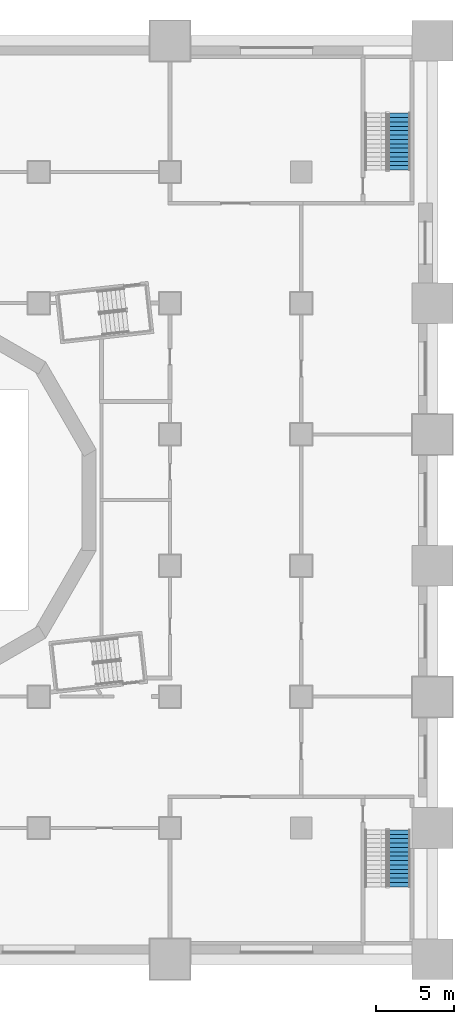
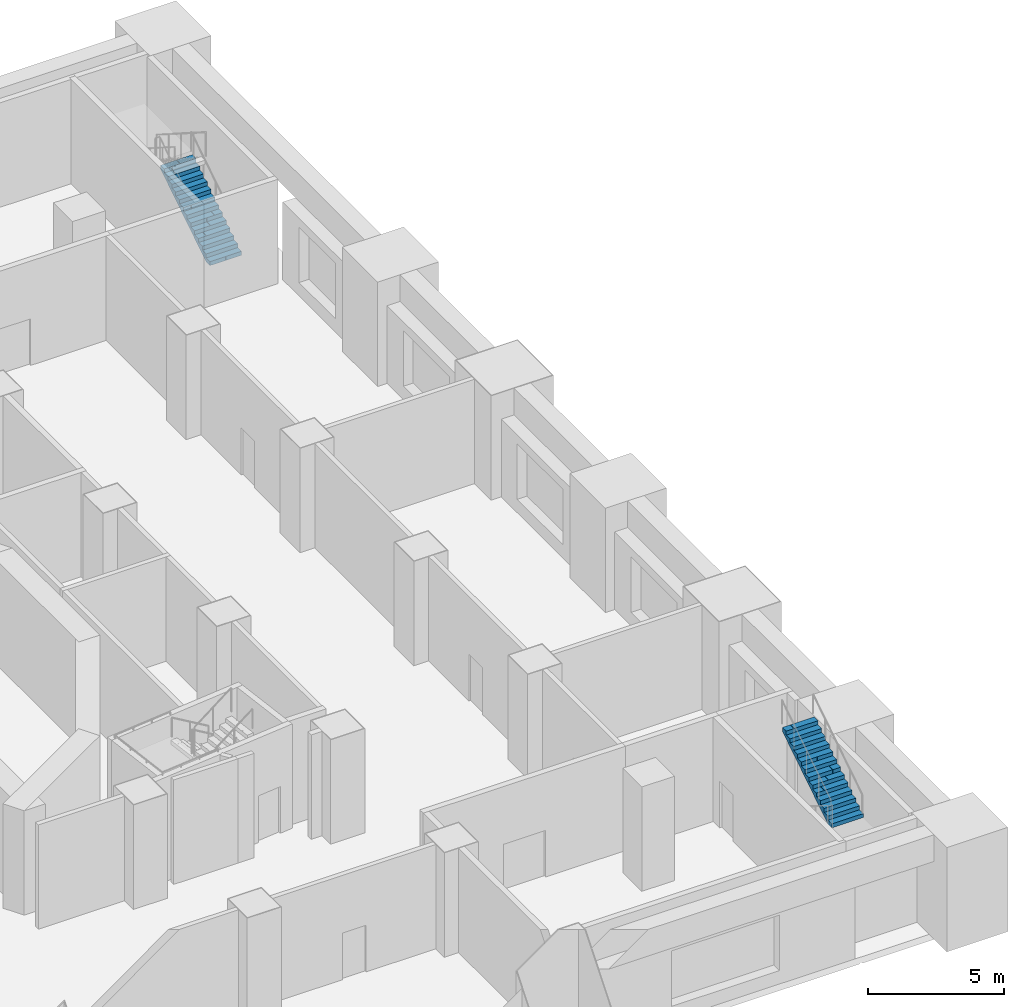
# One storey, part 8 of 18: 2 stair flights, 2 elements without a shape of their own.
"""IFC4 building model written with IfcOpenShell, lengths in metres."""

from ifc_helpers import new_model, si_unit, direction, frame, origin, place, context, subcontext, project, spatial, polyline, outline, extrude, material, type_object, element, aggregate, save


model = new_model("IFC4")

# Units and contexts
model_context = context("Model", 3, precision=1e-05, world=origin(), true_north=direction((0.0, 1.0)))
body_context = subcontext(model_context, "Body", "Model", "MODEL_VIEW")
ifc_project = project(units=[si_unit("LENGTHUNIT", "METRE"), si_unit("AREAUNIT", "SQUARE_METRE"), si_unit("VOLUMEUNIT", "CUBIC_METRE"), si_unit("PLANEANGLEUNIT", "RADIAN"), si_unit("MASSUNIT", "GRAM", prefix="KILO")], contexts=[model_context])

# Site, building, storey
site_placement = place(None, origin())
site = spatial("IfcSite", under=ifc_project, at=site_placement, CompositionType="ELEMENT")
building_placement = place(site_placement, origin())
building = spatial("IfcBuilding", under=site, at=building_placement, Name="Cantera Rosa Tower", CompositionType="ELEMENT")
storey_placement = place(building_placement, frame((0.0, 0.0, 17.0)))
storey = spatial("IfcBuildingStorey", under=building, at=storey_placement, Name="L02", CompositionType="ELEMENT", Elevation=17.0)

# Stair, stair flight
ifc_material_1 = material(Name="Concrete C35/45", Category="concrete")
stair_type = type_object("IfcStairType", Name="Stair half-turn 1350", PredefinedType="HALF_TURN_STAIR", material=ifc_material_1)
stair_1_placement = place(storey_placement, origin())
stair_1 = element("IfcStair", 1, at=stair_1_placement, inside=storey, type_object=stair_type, Name="L02 ST-NE", PredefinedType="HALF_TURN_STAIR")
ifc_material_2 = material(Name="Concrete C35/45", Category="concrete")
stair_flight_type = type_object("IfcStairFlightType", Name="Stair flight 1350", PredefinedType="STRAIGHT", material=ifc_material_2)
stair_flight_1_placement = place(storey_placement, frame((31.5, 21.125, 0.0), z_axis=(0.0, 0.0, 1.0), x_axis=(0.0, 1.0, 0.0)))
stair_flight_1 = element("IfcStairFlight", 2, at=stair_flight_1_placement, type_object=stair_flight_type, Name="ST-NE flight 1", NumberOfRisers=14, NumberOfTreads=13, PredefinedType="STRAIGHT", RiserHeight=0.178571429, TreadLength=0.28, context=body_context, shape_type="SweptSolid", body=[
    extrude(outline(polyline([(0.0, 0.0), (0.0, 0.178466796875), (0.280029296875, 0.178466796875), (0.280029296875, 0.357177734375), (0.56005859375, 0.357177734375), (0.56005859375, 0.53564453125), (0.840087890625, 0.53564453125), (0.840087890625, 0.71435546875), (1.1201171875, 0.71435546875), (1.1201171875, 0.892822265625), (1.39990234375, 0.892822265625), (1.39990234375, 1.071533203125), (1.679931640625, 1.071533203125), (1.679931640625, 1.25), (1.9599609375, 1.25), (1.9599609375, 1.428466796875), (2.239990234375, 1.428466796875), (2.239990234375, 1.607177734375), (2.52001953125, 1.607177734375), (2.52001953125, 1.78564453125), (2.800048828125, 1.78564453125), (2.800048828125, 1.96435546875), (3.080078125, 1.96435546875), (3.080078125, 2.142822265625), (3.360107421875, 2.142822265625), (3.360107421875, 2.321533203125), (3.639892578125, 2.321533203125), (3.639892578125, 2.5), (3.639892578125, 2.1435546875), (0.27880859375, 0.0), (0.0, 0.0)])), frame((0.0, 0.675048828125, 0.0), z_axis=(0.0, -1.0, 0.0), x_axis=(1.0, 0.0, 0.0)), (0.0, 0.0, 1.0), 0.3359375),
    extrude(outline(polyline([(0.0, 0.0), (0.0, 0.178466796875), (0.280029296875, 0.178466796875), (0.280029296875, 0.357177734375), (0.56005859375, 0.357177734375), (0.56005859375, 0.53564453125), (0.840087890625, 0.53564453125), (0.840087890625, 0.71435546875), (1.1201171875, 0.71435546875), (1.1201171875, 0.892822265625), (1.39990234375, 0.892822265625), (1.39990234375, 1.071533203125), (1.679931640625, 1.071533203125), (1.679931640625, 1.25), (1.9599609375, 1.25), (1.9599609375, 1.428466796875), (2.239990234375, 1.428466796875), (2.239990234375, 1.607177734375), (2.52001953125, 1.607177734375), (2.52001953125, 1.78564453125), (2.800048828125, 1.78564453125), (2.800048828125, 1.96435546875), (3.080078125, 1.96435546875), (3.080078125, 2.142822265625), (3.360107421875, 2.142822265625), (3.360107421875, 2.321533203125), (3.639892578125, 2.321533203125), (3.639892578125, 2.5), (3.639892578125, 2.1435546875), (0.27880859375, 0.0), (0.0, 0.0)])), frame((0.0, 0.337158203125, 0.0), z_axis=(0.0, -1.0, 0.0), x_axis=(1.0, 0.0, 0.0)), (0.0, 0.0, 1.0), 0.3359375),
    extrude(outline(polyline([(0.0, 0.0), (0.0, 0.178466796875), (0.280029296875, 0.178466796875), (0.280029296875, 0.357177734375), (0.56005859375, 0.357177734375), (0.56005859375, 0.53564453125), (0.840087890625, 0.53564453125), (0.840087890625, 0.71435546875), (1.1201171875, 0.71435546875), (1.1201171875, 0.892822265625), (1.39990234375, 0.892822265625), (1.39990234375, 1.071533203125), (1.679931640625, 1.071533203125), (1.679931640625, 1.25), (1.9599609375, 1.25), (1.9599609375, 1.428466796875), (2.239990234375, 1.428466796875), (2.239990234375, 1.607177734375), (2.52001953125, 1.607177734375), (2.52001953125, 1.78564453125), (2.800048828125, 1.78564453125), (2.800048828125, 1.96435546875), (3.080078125, 1.96435546875), (3.080078125, 2.142822265625), (3.360107421875, 2.142822265625), (3.360107421875, 2.321533203125), (3.639892578125, 2.321533203125), (3.639892578125, 2.5), (3.639892578125, 2.1435546875), (0.27880859375, 0.0), (0.0, 0.0)])), frame((0.0, -0.000732421875, 0.0), z_axis=(0.0, -1.0, 0.0), x_axis=(1.0, 0.0, 0.0)), (0.0, 0.0, 1.0), 0.3359375),
    extrude(outline(polyline([(0.0, 0.0), (0.0, 0.178466796875), (0.280029296875, 0.178466796875), (0.280029296875, 0.357177734375), (0.56005859375, 0.357177734375), (0.56005859375, 0.53564453125), (0.840087890625, 0.53564453125), (0.840087890625, 0.71435546875), (1.1201171875, 0.71435546875), (1.1201171875, 0.892822265625), (1.39990234375, 0.892822265625), (1.39990234375, 1.071533203125), (1.679931640625, 1.071533203125), (1.679931640625, 1.25), (1.9599609375, 1.25), (1.9599609375, 1.428466796875), (2.239990234375, 1.428466796875), (2.239990234375, 1.607177734375), (2.52001953125, 1.607177734375), (2.52001953125, 1.78564453125), (2.800048828125, 1.78564453125), (2.800048828125, 1.96435546875), (3.080078125, 1.96435546875), (3.080078125, 2.142822265625), (3.360107421875, 2.142822265625), (3.360107421875, 2.321533203125), (3.639892578125, 2.321533203125), (3.639892578125, 2.5), (3.639892578125, 2.1435546875), (0.27880859375, 0.0), (0.0, 0.0)])), frame((0.0, -0.338623046875, 0.0), z_axis=(0.0, -1.0, 0.0), x_axis=(1.0, 0.0, 0.0)), (0.0, 0.0, 1.0), 0.3359375),
])
aggregate(stair_1, [stair_flight_1])

stair_2_placement = place(storey_placement, origin())
stair_2 = element("IfcStair", 3, at=stair_2_placement, inside=storey, type_object=stair_type, Name="L02 ST-SE", PredefinedType="HALF_TURN_STAIR")
stair_flight_2_placement = place(storey_placement, frame((31.5, -24.764892578125, 2.5), z_axis=(0.0, 0.0, 1.0), x_axis=(0.0, 1.0, 0.0)))
stair_flight_2 = element("IfcStairFlight", 4, at=stair_flight_2_placement, type_object=stair_flight_type, Name="ST-SE flight 2", NumberOfRisers=14, NumberOfTreads=13, PredefinedType="STRAIGHT", RiserHeight=0.178571429, TreadLength=0.28, context=body_context, shape_type="SweptSolid", body=[
    extrude(outline(polyline([(0.0, 0.0), (0.0, 0.178466796875), (0.280029296875, 0.178466796875), (0.280029296875, 0.357177734375), (0.56005859375, 0.357177734375), (0.56005859375, 0.53564453125), (0.840087890625, 0.53564453125), (0.840087890625, 0.71435546875), (1.1201171875, 0.71435546875), (1.1201171875, 0.892822265625), (1.39990234375, 0.892822265625), (1.39990234375, 1.071533203125), (1.679931640625, 1.071533203125), (1.679931640625, 1.25), (1.9599609375, 1.25), (1.9599609375, 1.428466796875), (2.239990234375, 1.428466796875), (2.239990234375, 1.607177734375), (2.52001953125, 1.607177734375), (2.52001953125, 1.78564453125), (2.800048828125, 1.78564453125), (2.800048828125, 1.96435546875), (3.080078125, 1.96435546875), (3.080078125, 2.142822265625), (3.360107421875, 2.142822265625), (3.360107421875, 2.321533203125), (3.639892578125, 2.321533203125), (3.639892578125, 2.5), (3.639892578125, 2.1435546875), (0.27880859375, 0.0), (0.0, 0.0)])), frame((0.0, 0.675048828125, 0.0), z_axis=(0.0, -1.0, 0.0), x_axis=(1.0, 0.0, 0.0)), (0.0, 0.0, 1.0), 0.3359375),
    extrude(outline(polyline([(0.0, 0.0), (0.0, 0.178466796875), (0.280029296875, 0.178466796875), (0.280029296875, 0.357177734375), (0.56005859375, 0.357177734375), (0.56005859375, 0.53564453125), (0.840087890625, 0.53564453125), (0.840087890625, 0.71435546875), (1.1201171875, 0.71435546875), (1.1201171875, 0.892822265625), (1.39990234375, 0.892822265625), (1.39990234375, 1.071533203125), (1.679931640625, 1.071533203125), (1.679931640625, 1.25), (1.9599609375, 1.25), (1.9599609375, 1.428466796875), (2.239990234375, 1.428466796875), (2.239990234375, 1.607177734375), (2.52001953125, 1.607177734375), (2.52001953125, 1.78564453125), (2.800048828125, 1.78564453125), (2.800048828125, 1.96435546875), (3.080078125, 1.96435546875), (3.080078125, 2.142822265625), (3.360107421875, 2.142822265625), (3.360107421875, 2.321533203125), (3.639892578125, 2.321533203125), (3.639892578125, 2.5), (3.639892578125, 2.1435546875), (0.27880859375, 0.0), (0.0, 0.0)])), frame((0.0, 0.337158203125, 0.0), z_axis=(0.0, -1.0, 0.0), x_axis=(1.0, 0.0, 0.0)), (0.0, 0.0, 1.0), 0.3359375),
    extrude(outline(polyline([(0.0, 0.0), (0.0, 0.178466796875), (0.280029296875, 0.178466796875), (0.280029296875, 0.357177734375), (0.56005859375, 0.357177734375), (0.56005859375, 0.53564453125), (0.840087890625, 0.53564453125), (0.840087890625, 0.71435546875), (1.1201171875, 0.71435546875), (1.1201171875, 0.892822265625), (1.39990234375, 0.892822265625), (1.39990234375, 1.071533203125), (1.679931640625, 1.071533203125), (1.679931640625, 1.25), (1.9599609375, 1.25), (1.9599609375, 1.428466796875), (2.239990234375, 1.428466796875), (2.239990234375, 1.607177734375), (2.52001953125, 1.607177734375), (2.52001953125, 1.78564453125), (2.800048828125, 1.78564453125), (2.800048828125, 1.96435546875), (3.080078125, 1.96435546875), (3.080078125, 2.142822265625), (3.360107421875, 2.142822265625), (3.360107421875, 2.321533203125), (3.639892578125, 2.321533203125), (3.639892578125, 2.5), (3.639892578125, 2.1435546875), (0.27880859375, 0.0), (0.0, 0.0)])), frame((0.0, -0.000732421875, 0.0), z_axis=(0.0, -1.0, 0.0), x_axis=(1.0, 0.0, 0.0)), (0.0, 0.0, 1.0), 0.3359375),
    extrude(outline(polyline([(0.0, 0.0), (0.0, 0.178466796875), (0.280029296875, 0.178466796875), (0.280029296875, 0.357177734375), (0.56005859375, 0.357177734375), (0.56005859375, 0.53564453125), (0.840087890625, 0.53564453125), (0.840087890625, 0.71435546875), (1.1201171875, 0.71435546875), (1.1201171875, 0.892822265625), (1.39990234375, 0.892822265625), (1.39990234375, 1.071533203125), (1.679931640625, 1.071533203125), (1.679931640625, 1.25), (1.9599609375, 1.25), (1.9599609375, 1.428466796875), (2.239990234375, 1.428466796875), (2.239990234375, 1.607177734375), (2.52001953125, 1.607177734375), (2.52001953125, 1.78564453125), (2.800048828125, 1.78564453125), (2.800048828125, 1.96435546875), (3.080078125, 1.96435546875), (3.080078125, 2.142822265625), (3.360107421875, 2.142822265625), (3.360107421875, 2.321533203125), (3.639892578125, 2.321533203125), (3.639892578125, 2.5), (3.639892578125, 2.1435546875), (0.27880859375, 0.0), (0.0, 0.0)])), frame((0.0, -0.338623046875, 0.0), z_axis=(0.0, -1.0, 0.0), x_axis=(1.0, 0.0, 0.0)), (0.0, 0.0, 1.0), 0.3359375),
])
aggregate(stair_2, [stair_flight_2])

save(model, "model.ifc")
